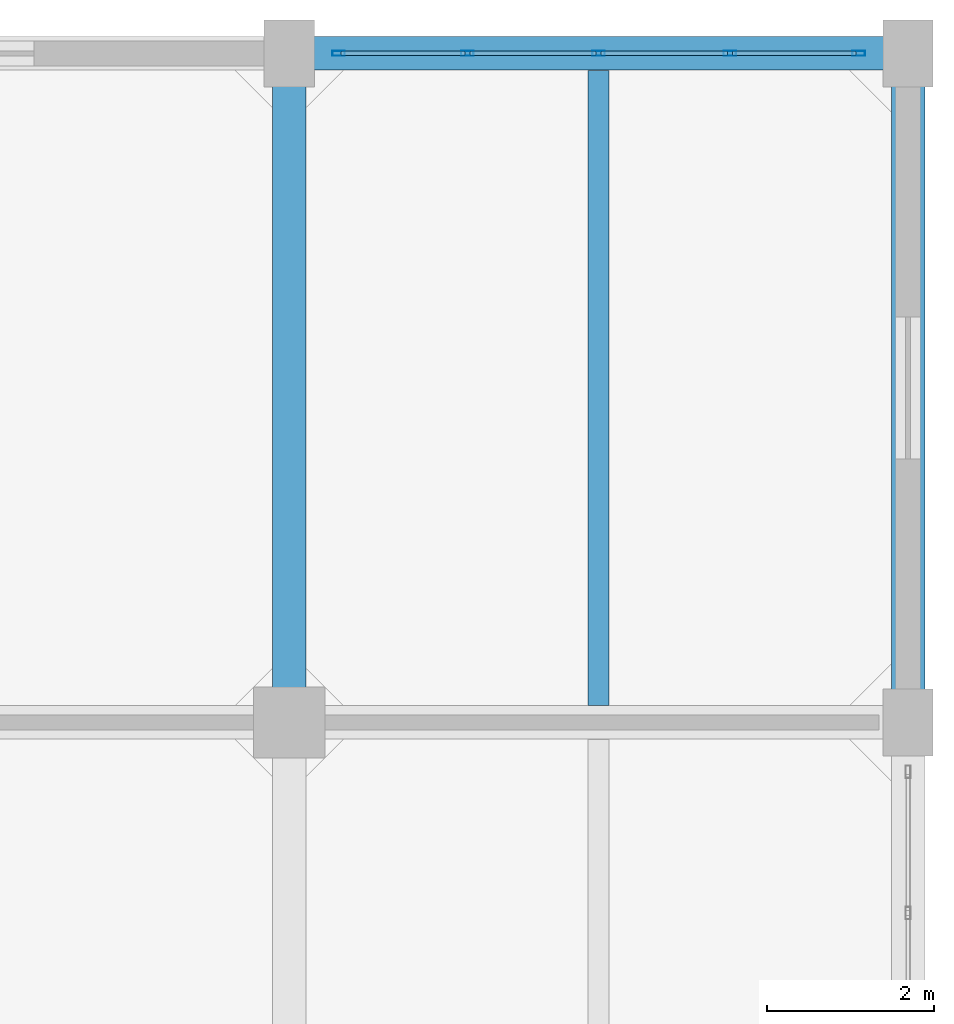
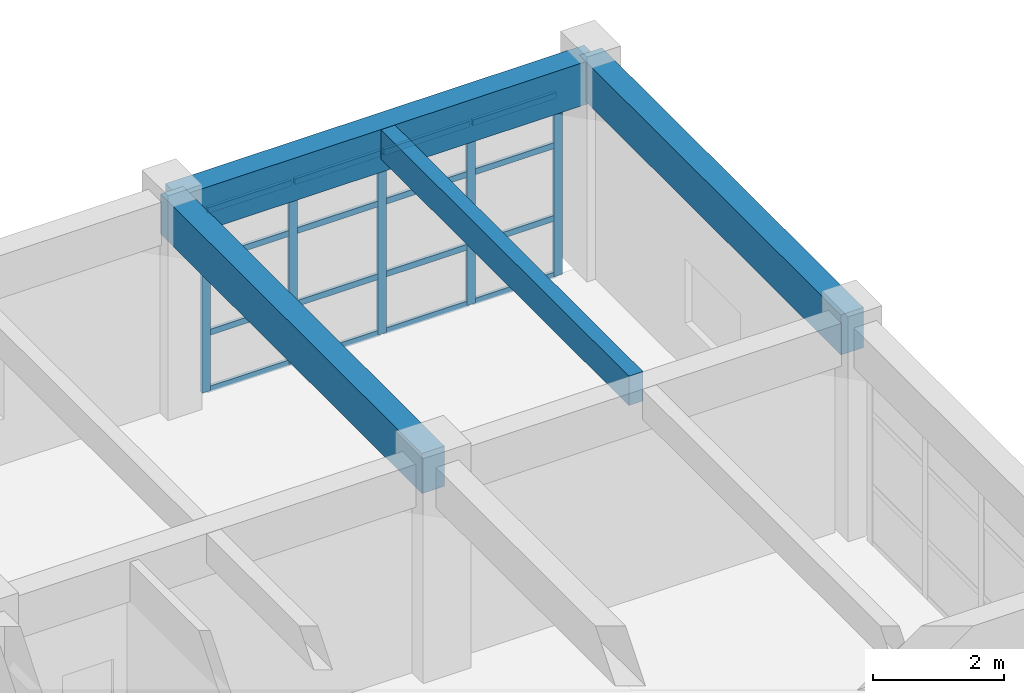
# One storey, part 18 of 27: 21 members, 4 beams, 1 element without a shape of its own.
"""IFC4 building model written with IfcOpenShell, lengths in metres."""

from ifc_helpers import new_model, si_unit, direction, frame, origin, origin_2d, place, context, subcontext, project, spatial, rectangle, hollow_rectangle, extrude, material, layer, layer_set, material_profile, profile_set, type_object, element, aggregate, save


model = new_model("IFC4")

# Units and contexts
model_context = context("Model", 3, precision=1e-05, world=origin(), true_north=direction((0.0, 1.0)))
body_context = subcontext(model_context, "Body", "Model", "MODEL_VIEW")
ifc_project = project(units=[si_unit("LENGTHUNIT", "METRE"), si_unit("AREAUNIT", "SQUARE_METRE"), si_unit("VOLUMEUNIT", "CUBIC_METRE"), si_unit("PLANEANGLEUNIT", "RADIAN"), si_unit("MASSUNIT", "GRAM", prefix="KILO")], contexts=[model_context])

# Site, building, storey
site_placement = place(None, origin())
site = spatial("IfcSite", under=ifc_project, at=site_placement, CompositionType="ELEMENT")
building_placement = place(site_placement, origin())
building = spatial("IfcBuilding", under=site, at=building_placement, Name="Canggui Botanical Conservatory", CompositionType="ELEMENT")
storey_placement = place(building_placement, frame((0.0, 0.0, 23.39990234375)))
storey = spatial("IfcBuildingStorey", under=building, at=storey_placement, Name="L06", CompositionType="ELEMENT", Elevation=23.39990234375)

# Beams
ifc_material_1 = material(Name="Concrete C35", Category="concrete")
ifc_material_profile_1 = material_profile(ifc_material_1, rectangle(XDim=0.25, YDim=0.550048828125, at=origin_2d()), Name="RB 250x550")
ifc_profile_set_1 = profile_set([ifc_material_profile_1], Name="Concrete C35")
beam_type_1 = type_object("IfcBeamType", Name="BM-JST03", PredefinedType="JOIST", material=ifc_profile_set_1)
beam_1_placement = place(storey_placement, frame((173.699951171875, 66.205078125, 3.68505859375), z_axis=(0.0, 1.0, 0.0), x_axis=(-1.0, 0.0, 0.0)))
element("IfcBeam", 1, at=beam_1_placement, inside=storey, type_object=beam_type_1, Name="Secondary Floor Joist L06-5-5", PredefinedType="JOIST", context=body_context, shape_type="SweptSolid", body=[
    extrude(rectangle(XDim=0.25, YDim=0.550048828125, at=origin_2d()), origin(), (0.0, 0.0, 1.0), 7.58984375),
])
ifc_material_profile_2 = material_profile(ifc_material_1, rectangle(XDim=0.39990234375, YDim=0.800048828125, at=origin_2d()), Name="RB 400x800")
ifc_profile_set_2 = profile_set([ifc_material_profile_2], Name="Concrete C35")
beam_type_2 = type_object("IfcBeamType", Name="BM-KL09", PredefinedType="BEAM", material=ifc_profile_set_2)
beam_2_placement = place(storey_placement, frame((170.0, 74.0, 3.56005859375), z_axis=(1.0, 0.0, 0.0), x_axis=(0.0, 1.0, 0.0)))
element("IfcBeam", 2, at=beam_2_placement, inside=storey, type_object=beam_type_2, Name="Frame Girder L06 Y74-5", PredefinedType="BEAM", context=body_context, shape_type="SweptSolid", body=[
    extrude(rectangle(XDim=0.39990234375, YDim=0.800048828125, at=origin_2d()), origin(), (0.0, 0.0, 1.0), 7.39990234375),
])
ifc_material_profile_3 = material_profile(ifc_material_1, rectangle(XDim=0.39990234375, YDim=0.75, at=origin_2d()), Name="RB 400x750")
ifc_profile_set_3 = profile_set([ifc_material_profile_3], Name="Concrete C35")
beam_type_3 = type_object("IfcBeamType", Name="BM-KL10", PredefinedType="BEAM", material=ifc_profile_set_3)
for number, where, z_axis, x_axis, name in (
    (3, (170.0, 66.0, 3.585205078125), (0.0, 1.0, 0.0), (-1.0, 0.0, 0.0), "Frame Girder L06 X170-5"),
    (4, (177.39990234375, 66.0, 3.585205078125), (0.0, 1.0, 0.0), (-1.0, 0.0, 0.0), "Frame Girder L06 X178-5"),
):
    element("IfcBeam", number, at=place(storey_placement, frame(where, z_axis=z_axis, x_axis=x_axis)), inside=storey, type_object=beam_type_3, Name=name, PredefinedType="BEAM", context=body_context, shape_type="SweptSolid", body=[
        extrude(rectangle(XDim=0.39990234375, YDim=0.75, at=origin_2d()), origin(), (0.0, 0.0, 1.0), 8.0),
    ])

# Curtain wall, members
ifc_material_2 = material(Name="Thermally Broken Aluminium", Category="aluminium")
ifc_layer = layer(ifc_material_2, 0.14990234375, Name="Thermally Broken Aluminium", Category="aluminium")
ifc_layer_set = layer_set([ifc_layer], Name="Thermally Broken Aluminium")
curtain_wall_type = type_object("IfcCurtainWallType", Name="CW-UNIT-C", PredefinedType="USERDEFINED", material=ifc_layer_set)
curtain_wall_placement = place(storey_placement, origin())
curtain_wall = element("IfcCurtainWall", 5, at=curtain_wall_placement, inside=storey, type_object=curtain_wall_type, Name="Facade Curtain Wall CW-TWR-L06-16", ObjectType="UNITISED CURTAIN WALL", PredefinedType="USERDEFINED")
ifc_material_profile_4 = material_profile(ifc_material_2, hollow_rectangle(XDim=0.06005859375, YDim=0.14990234375, WallThickness=0.00341796875, at=origin_2d()), Name="CWM 60x150x3.5")
ifc_profile_set_4 = profile_set([ifc_material_profile_4], Name="Thermally Broken Aluminium")
member_type_1 = type_object("IfcMemberType", Name="CWM-03", PredefinedType="MULLION", material=ifc_profile_set_4)
member_1_placement = place(storey_placement, frame((170.590087890625, 74.0, 0.0), z_axis=(0.0, 0.0, 1.0), x_axis=(0.0, 1.0, 0.0)))
member_1 = element("IfcMember", 6, at=member_1_placement, type_object=member_type_1, Name="CW-03 mullion 1", PredefinedType="MULLION", context=body_context, shape_type="SweptSolid", body=[
    extrude(hollow_rectangle(XDim=0.06005859375, YDim=0.14990234375, WallThickness=0.00341796875, at=origin_2d()), origin(), (0.0, 0.0, 1.0), 3.400146484375),
])
member_2_placement = place(storey_placement, frame((172.1298828125, 74.0, 0.0), z_axis=(0.0, 0.0, 1.0), x_axis=(0.0, 1.0, 0.0)))
member_2 = element("IfcMember", 7, at=member_2_placement, type_object=member_type_1, Name="CW-03 mullion 2", PredefinedType="MULLION", context=body_context, shape_type="SweptSolid", body=[
    extrude(hollow_rectangle(XDim=0.06005859375, YDim=0.14990234375, WallThickness=0.00341796875, at=origin_2d()), origin(), (0.0, 0.0, 1.0), 3.400146484375),
])
member_3_placement = place(storey_placement, frame((173.699951171875, 74.0, 0.0), z_axis=(0.0, 0.0, 1.0), x_axis=(0.0, 1.0, 0.0)))
member_3 = element("IfcMember", 8, at=member_3_placement, type_object=member_type_1, Name="CW-03 mullion 3", PredefinedType="MULLION", context=body_context, shape_type="SweptSolid", body=[
    extrude(hollow_rectangle(XDim=0.06005859375, YDim=0.14990234375, WallThickness=0.00341796875, at=origin_2d()), origin(), (0.0, 0.0, 1.0), 3.400146484375),
])
member_4_placement = place(storey_placement, frame((175.27001953125, 74.0, 0.0), z_axis=(0.0, 0.0, 1.0), x_axis=(0.0, 1.0, 0.0)))
member_4 = element("IfcMember", 9, at=member_4_placement, type_object=member_type_1, Name="CW-03 mullion 4", PredefinedType="MULLION", context=body_context, shape_type="SweptSolid", body=[
    extrude(hollow_rectangle(XDim=0.06005859375, YDim=0.14990234375, WallThickness=0.00341796875, at=origin_2d()), origin(), (0.0, 0.0, 1.0), 3.400146484375),
])
member_5_placement = place(storey_placement, frame((176.81005859375, 74.0, 0.0), z_axis=(0.0, 0.0, 1.0), x_axis=(0.0, 1.0, 0.0)))
member_5 = element("IfcMember", 10, at=member_5_placement, type_object=member_type_1, Name="CW-03 mullion 5", PredefinedType="MULLION", context=body_context, shape_type="SweptSolid", body=[
    extrude(hollow_rectangle(XDim=0.06005859375, YDim=0.14990234375, WallThickness=0.00341796875, at=origin_2d()), origin(), (0.0, 0.0, 1.0), 3.400146484375),
])
ifc_material_profile_5 = material_profile(ifc_material_2, hollow_rectangle(XDim=0.054931640625, YDim=0.110107421875, WallThickness=0.0029296875, at=origin_2d()), Name="CWT 55x110x3")
ifc_profile_set_5 = profile_set([ifc_material_profile_5], Name="Thermally Broken Aluminium")
member_type_2 = type_object("IfcMemberType", Name="CWT-03", PredefinedType="USERDEFINED", material=ifc_profile_set_5)
member_6_placement = place(storey_placement, frame((170.6201171875, 74.0, 0.027587890625), z_axis=(1.0, 0.0, 0.0), x_axis=(0.0, 1.0, 0.0)))
member_6 = element("IfcMember", 11, at=member_6_placement, type_object=member_type_2, Name="CW-03 transom 1.1", ObjectType="TRANSOM", PredefinedType="USERDEFINED", context=body_context, shape_type="SweptSolid", body=[
    extrude(hollow_rectangle(XDim=0.054931640625, YDim=0.110107421875, WallThickness=0.0029296875, at=origin_2d()), origin(), (0.0, 0.0, 1.0), 1.47998046875),
])
member_7_placement = place(storey_placement, frame((170.6201171875, 74.0, 1.088134765625), z_axis=(1.0, 0.0, 0.0), x_axis=(0.0, 1.0, 0.0)))
member_7 = element("IfcMember", 12, at=member_7_placement, type_object=member_type_2, Name="CW-03 transom 1.2", ObjectType="TRANSOM", PredefinedType="USERDEFINED", context=body_context, shape_type="SweptSolid", body=[
    extrude(hollow_rectangle(XDim=0.054931640625, YDim=0.110107421875, WallThickness=0.0029296875, at=origin_2d()), origin(), (0.0, 0.0, 1.0), 1.47998046875),
])
member_8_placement = place(storey_placement, frame((170.6201171875, 74.0, 2.447998046875), z_axis=(1.0, 0.0, 0.0), x_axis=(0.0, 1.0, 0.0)))
member_8 = element("IfcMember", 13, at=member_8_placement, type_object=member_type_2, Name="CW-03 transom 1.3", ObjectType="TRANSOM", PredefinedType="USERDEFINED", context=body_context, shape_type="SweptSolid", body=[
    extrude(hollow_rectangle(XDim=0.054931640625, YDim=0.110107421875, WallThickness=0.0029296875, at=origin_2d()), origin(), (0.0, 0.0, 1.0), 1.47998046875),
])
member_9_placement = place(storey_placement, frame((170.6201171875, 74.0, 3.37255859375), z_axis=(1.0, 0.0, 0.0), x_axis=(0.0, 1.0, 0.0)))
member_9 = element("IfcMember", 14, at=member_9_placement, type_object=member_type_2, Name="CW-03 transom 1.4", ObjectType="TRANSOM", PredefinedType="USERDEFINED", context=body_context, shape_type="SweptSolid", body=[
    extrude(hollow_rectangle(XDim=0.054931640625, YDim=0.110107421875, WallThickness=0.0029296875, at=origin_2d()), origin(), (0.0, 0.0, 1.0), 1.47998046875),
])
member_10_placement = place(storey_placement, frame((172.159912109375, 74.0, 0.027587890625), z_axis=(1.0, 0.0, 0.0), x_axis=(0.0, 1.0, 0.0)))
member_10 = element("IfcMember", 15, at=member_10_placement, type_object=member_type_2, Name="CW-03 transom 2.1", ObjectType="TRANSOM", PredefinedType="USERDEFINED", context=body_context, shape_type="SweptSolid", body=[
    extrude(hollow_rectangle(XDim=0.054931640625, YDim=0.110107421875, WallThickness=0.0029296875, at=origin_2d()), origin(), (0.0, 0.0, 1.0), 1.510009765625),
])
member_11_placement = place(storey_placement, frame((172.159912109375, 74.0, 1.088134765625), z_axis=(1.0, 0.0, 0.0), x_axis=(0.0, 1.0, 0.0)))
member_11 = element("IfcMember", 16, at=member_11_placement, type_object=member_type_2, Name="CW-03 transom 2.2", ObjectType="TRANSOM", PredefinedType="USERDEFINED", context=body_context, shape_type="SweptSolid", body=[
    extrude(hollow_rectangle(XDim=0.054931640625, YDim=0.110107421875, WallThickness=0.0029296875, at=origin_2d()), origin(), (0.0, 0.0, 1.0), 1.510009765625),
])
member_12_placement = place(storey_placement, frame((172.159912109375, 74.0, 2.447998046875), z_axis=(1.0, 0.0, 0.0), x_axis=(0.0, 1.0, 0.0)))
member_12 = element("IfcMember", 17, at=member_12_placement, type_object=member_type_2, Name="CW-03 transom 2.3", ObjectType="TRANSOM", PredefinedType="USERDEFINED", context=body_context, shape_type="SweptSolid", body=[
    extrude(hollow_rectangle(XDim=0.054931640625, YDim=0.110107421875, WallThickness=0.0029296875, at=origin_2d()), origin(), (0.0, 0.0, 1.0), 1.510009765625),
])
member_13_placement = place(storey_placement, frame((172.159912109375, 74.0, 3.37255859375), z_axis=(1.0, 0.0, 0.0), x_axis=(0.0, 1.0, 0.0)))
member_13 = element("IfcMember", 18, at=member_13_placement, type_object=member_type_2, Name="CW-03 transom 2.4", ObjectType="TRANSOM", PredefinedType="USERDEFINED", context=body_context, shape_type="SweptSolid", body=[
    extrude(hollow_rectangle(XDim=0.054931640625, YDim=0.110107421875, WallThickness=0.0029296875, at=origin_2d()), origin(), (0.0, 0.0, 1.0), 1.510009765625),
])
member_14_placement = place(storey_placement, frame((173.72998046875, 74.0, 0.027587890625), z_axis=(1.0, 0.0, 0.0), x_axis=(0.0, 1.0, 0.0)))
member_14 = element("IfcMember", 19, at=member_14_placement, type_object=member_type_2, Name="CW-03 transom 3.1", ObjectType="TRANSOM", PredefinedType="USERDEFINED", context=body_context, shape_type="SweptSolid", body=[
    extrude(hollow_rectangle(XDim=0.054931640625, YDim=0.110107421875, WallThickness=0.0029296875, at=origin_2d()), origin(), (0.0, 0.0, 1.0), 1.510009765625),
])
member_15_placement = place(storey_placement, frame((173.72998046875, 74.0, 1.088134765625), z_axis=(1.0, 0.0, 0.0), x_axis=(0.0, 1.0, 0.0)))
member_15 = element("IfcMember", 20, at=member_15_placement, type_object=member_type_2, Name="CW-03 transom 3.2", ObjectType="TRANSOM", PredefinedType="USERDEFINED", context=body_context, shape_type="SweptSolid", body=[
    extrude(hollow_rectangle(XDim=0.054931640625, YDim=0.110107421875, WallThickness=0.0029296875, at=origin_2d()), origin(), (0.0, 0.0, 1.0), 1.510009765625),
])
member_16_placement = place(storey_placement, frame((173.72998046875, 74.0, 2.447998046875), z_axis=(1.0, 0.0, 0.0), x_axis=(0.0, 1.0, 0.0)))
member_16 = element("IfcMember", 21, at=member_16_placement, type_object=member_type_2, Name="CW-03 transom 3.3", ObjectType="TRANSOM", PredefinedType="USERDEFINED", context=body_context, shape_type="SweptSolid", body=[
    extrude(hollow_rectangle(XDim=0.054931640625, YDim=0.110107421875, WallThickness=0.0029296875, at=origin_2d()), origin(), (0.0, 0.0, 1.0), 1.510009765625),
])
member_17_placement = place(storey_placement, frame((173.72998046875, 74.0, 3.37255859375), z_axis=(1.0, 0.0, 0.0), x_axis=(0.0, 1.0, 0.0)))
member_17 = element("IfcMember", 22, at=member_17_placement, type_object=member_type_2, Name="CW-03 transom 3.4", ObjectType="TRANSOM", PredefinedType="USERDEFINED", context=body_context, shape_type="SweptSolid", body=[
    extrude(hollow_rectangle(XDim=0.054931640625, YDim=0.110107421875, WallThickness=0.0029296875, at=origin_2d()), origin(), (0.0, 0.0, 1.0), 1.510009765625),
])
member_18_placement = place(storey_placement, frame((175.300048828125, 74.0, 0.027587890625), z_axis=(1.0, 0.0, 0.0), x_axis=(0.0, 1.0, 0.0)))
member_18 = element("IfcMember", 23, at=member_18_placement, type_object=member_type_2, Name="CW-03 transom 4.1", ObjectType="TRANSOM", PredefinedType="USERDEFINED", context=body_context, shape_type="SweptSolid", body=[
    extrude(hollow_rectangle(XDim=0.054931640625, YDim=0.110107421875, WallThickness=0.0029296875, at=origin_2d()), origin(), (0.0, 0.0, 1.0), 1.47998046875),
])
member_19_placement = place(storey_placement, frame((175.300048828125, 74.0, 1.088134765625), z_axis=(1.0, 0.0, 0.0), x_axis=(0.0, 1.0, 0.0)))
member_19 = element("IfcMember", 24, at=member_19_placement, type_object=member_type_2, Name="CW-03 transom 4.2", ObjectType="TRANSOM", PredefinedType="USERDEFINED", context=body_context, shape_type="SweptSolid", body=[
    extrude(hollow_rectangle(XDim=0.054931640625, YDim=0.110107421875, WallThickness=0.0029296875, at=origin_2d()), origin(), (0.0, 0.0, 1.0), 1.47998046875),
])
member_20_placement = place(storey_placement, frame((175.300048828125, 74.0, 2.447998046875), z_axis=(1.0, 0.0, 0.0), x_axis=(0.0, 1.0, 0.0)))
member_20 = element("IfcMember", 25, at=member_20_placement, type_object=member_type_2, Name="CW-03 transom 4.3", ObjectType="TRANSOM", PredefinedType="USERDEFINED", context=body_context, shape_type="SweptSolid", body=[
    extrude(hollow_rectangle(XDim=0.054931640625, YDim=0.110107421875, WallThickness=0.0029296875, at=origin_2d()), origin(), (0.0, 0.0, 1.0), 1.47998046875),
])
member_21_placement = place(storey_placement, frame((175.300048828125, 74.0, 3.37255859375), z_axis=(1.0, 0.0, 0.0), x_axis=(0.0, 1.0, 0.0)))
member_21 = element("IfcMember", 26, at=member_21_placement, type_object=member_type_2, Name="CW-03 transom 4.4", ObjectType="TRANSOM", PredefinedType="USERDEFINED", context=body_context, shape_type="SweptSolid", body=[
    extrude(hollow_rectangle(XDim=0.054931640625, YDim=0.110107421875, WallThickness=0.0029296875, at=origin_2d()), origin(), (0.0, 0.0, 1.0), 1.47998046875),
])
aggregate(curtain_wall, [member_1, member_2, member_3, member_4, member_5, member_6, member_7, member_8, member_9, member_10, member_11, member_12, member_13, member_14, member_15, member_16, member_17, member_18, member_19, member_20, member_21])

save(model, "model.ifc")
